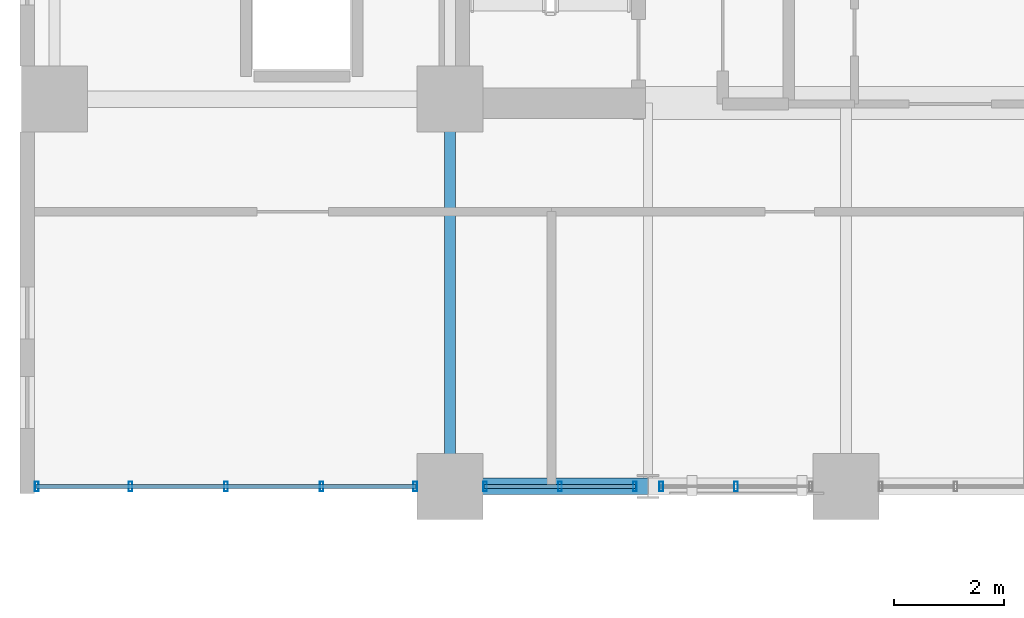
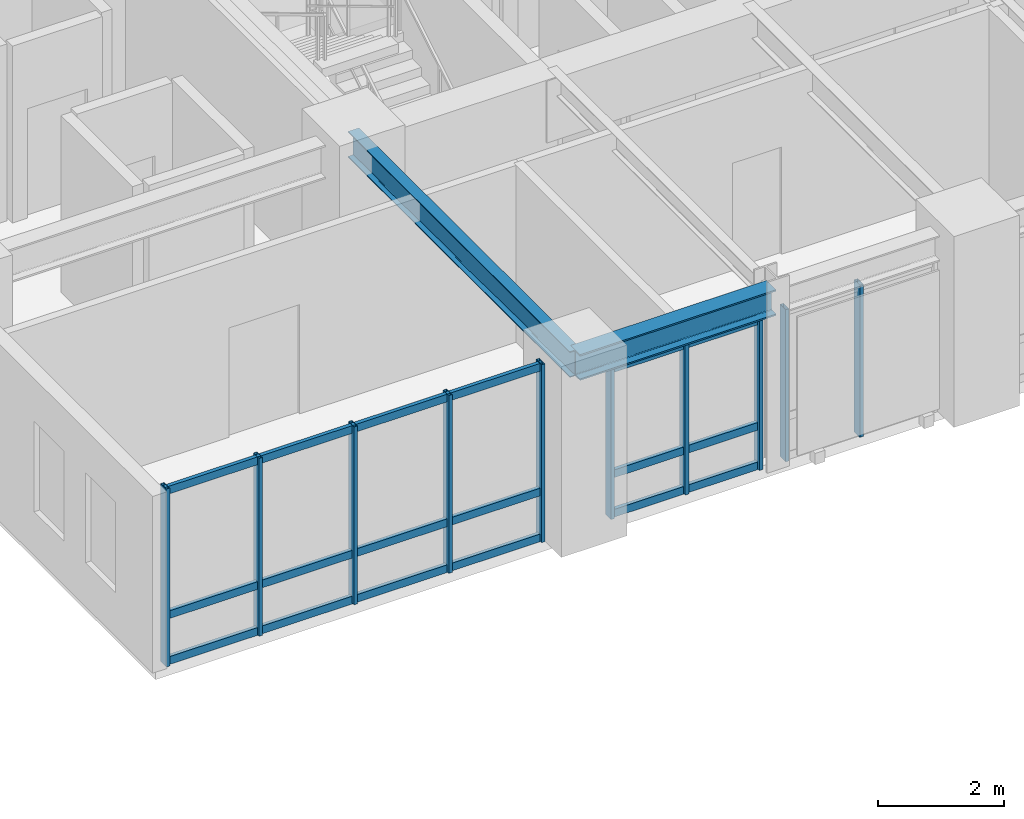
# One storey, part 2 of 16: 16 members, 2 beams, 3 elements without a shape of their own.
"""IFC4 building model written with IfcOpenShell, lengths in metres."""

from ifc_helpers import new_model, si_unit, direction, frame, origin, origin_2d, place, context, subcontext, project, spatial, hollow_rectangle, i_section, extrude, source, transform, mapped, material, layer, layer_set, material_profile, profile_set, type_object, element, aggregate, save


model = new_model("IFC4")

# Units and contexts
model_context = context("Model", 3, precision=1e-05, world=origin(), true_north=direction((0.0, 1.0)))
body_context = subcontext(model_context, "Body", "Model", "MODEL_VIEW")
ifc_project = project(units=[si_unit("LENGTHUNIT", "METRE"), si_unit("AREAUNIT", "SQUARE_METRE"), si_unit("VOLUMEUNIT", "CUBIC_METRE"), si_unit("PLANEANGLEUNIT", "RADIAN"), si_unit("MASSUNIT", "GRAM", prefix="KILO")], contexts=[model_context])

# Site, building, storey
site_placement = place(None, origin())
site = spatial("IfcSite", under=ifc_project, at=site_placement, CompositionType="ELEMENT")
building_placement = place(site_placement, origin())
building = spatial("IfcBuilding", under=site, at=building_placement, Name="Kaliganga Portal Commons", CompositionType="ELEMENT")
storey_placement = place(building_placement, frame((0.0, 0.0, 82.300048828125)))
storey = spatial("IfcBuildingStorey", under=building, at=storey_placement, Name="L20", CompositionType="ELEMENT", Elevation=82.300048828125)

# Beams
ifc_material_1 = material(Name="Structural steel S355J2", Category="steel")
ifc_material_profile_1 = material_profile(ifc_material_1, i_section(OverallWidth=0.300048828125, OverallDepth=0.5, WebThickness=0.014404296875, FlangeThickness=0.028076171875, FilletRadius=0.027099609375, at=origin_2d()), Name="HE 500 B")
ifc_profile_set_1 = profile_set([ifc_material_profile_1], Name="Structural steel S355J2 wide-flange")
beam_type_1 = type_object("IfcBeamType", Name="BM-SPAND-500", PredefinedType="SPANDREL", material=ifc_profile_set_1)
shared_shape_1 = source(origin(), body_context, "Body", "SweptSolid", [
    extrude(i_section(OverallWidth=0.300048828125, OverallDepth=0.5, WebThickness=0.014404296875, FlangeThickness=0.028076171875, FilletRadius=0.027099609375, at=origin_2d()), origin(), (0.0, 0.0, 1.0), 3.60009765625),
])
beam_1_placement = place(storey_placement, frame((14.39990234375, 21.60009765625, 3.199951171875), z_axis=(1.0, 0.0, 0.0), x_axis=(0.0, 1.0, 0.0)))
element("IfcBeam", 1, at=beam_1_placement, inside=storey, type_object=beam_type_1, Name="BM SP L20 AS 1", PredefinedType="SPANDREL", context=body_context, shape_type="MappedRepresentation", body=[
    mapped(shared_shape_1, transform((0.0, 0.0, 0.0), x_axis=(1.0, 0.0, 0.0), y_axis=(0.0, 1.0, 0.0), z_axis=(0.0, 0.0, 1.0), scale=1.0)),
])
ifc_material_profile_2 = material_profile(ifc_material_1, i_section(OverallWidth=0.199951171875, OverallDepth=0.5, WebThickness=0.01025390625, FlangeThickness=0.01611328125, FilletRadius=0.02099609375, at=origin_2d()), Name="IPE 500")
ifc_profile_set_2 = profile_set([ifc_material_profile_2], Name="Structural steel S355J2 wide-flange")
beam_type_2 = type_object("IfcBeamType", Name="BM-FLR-500", PredefinedType="BEAM", material=ifc_profile_set_2)
shared_shape_2 = source(origin(), body_context, "Body", "SweptSolid", [
    extrude(i_section(OverallWidth=0.199951171875, OverallDepth=0.5, WebThickness=0.01025390625, FlangeThickness=0.01611328125, FilletRadius=0.02099609375, at=origin_2d()), origin(), (0.0, 0.0, 1.0), 7.0498046875),
])
beam_2_placement = place(storey_placement, frame((14.39990234375, 21.60009765625, 3.199951171875), z_axis=(0.0, 1.0, 0.0), x_axis=(-1.0, 0.0, 0.0)))
element("IfcBeam", 2, at=beam_2_placement, inside=storey, type_object=beam_type_2, Name="BM G L20 AS144", PredefinedType="BEAM", context=body_context, shape_type="MappedRepresentation", body=[
    mapped(shared_shape_2, transform((0.0, 0.0, 0.0), x_axis=(1.0, 0.0, 0.0), y_axis=(0.0, 1.0, 0.0), z_axis=(0.0, 0.0, 1.0), scale=1.0)),
])

# Curtain wall, members
ifc_material_2 = material(Name="Anodized Aluminium and Laminated Low-E Glass", Category="aluminium")
ifc_layer = layer(ifc_material_2, 0.2099609375)
ifc_layer_set = layer_set([ifc_layer], Name="Anodized Aluminium and Laminated Low-E Glass")
curtain_wall_type = type_object("IfcCurtainWallType", Name="CW-SYS-03", PredefinedType="NOTDEFINED", material=ifc_layer_set)
curtain_wall_1_placement = place(storey_placement, origin())
curtain_wall_1 = element("IfcCurtainWall", 3, at=curtain_wall_1_placement, inside=storey, type_object=curtain_wall_type, Name="CW 03 L20 P1E04S1", PredefinedType="NOTDEFINED")
ifc_material_3 = material(Name="Dark Bronze Anodized Aluminium", Category="aluminium")
ifc_material_profile_3 = material_profile(ifc_material_3, hollow_rectangle(XDim=0.06494140625, YDim=0.179931640625, WallThickness=0.00390625, at=origin_2d()), Name="ALU MULL 65x180x4")
ifc_profile_set_3 = profile_set([ifc_material_profile_3], Name="Dark Bronze Anodized Aluminium")
member_type_1 = type_object("IfcMemberType", Name="CW-MUL-180", PredefinedType="MULLION", material=ifc_profile_set_3)
shared_shape_3 = source(origin(), body_context, "Body", "SweptSolid", [
    extrude(hollow_rectangle(XDim=0.06494140625, YDim=0.179931640625, WallThickness=0.00390625, at=origin_2d()), origin(), (0.0, 0.0, 1.0), 3.449951171875),
])
member_1_placement = place(storey_placement, frame((6.875, 21.60009765625, 0.0), z_axis=(0.0, 0.0, 1.0), x_axis=(1.0, 0.0, 0.0)))
member_1 = element("IfcMember", 4, at=member_1_placement, type_object=member_type_1, Name="CW:03:L20:P1E04S1 Mullion 00", PredefinedType="MULLION", context=body_context, shape_type="MappedRepresentation", body=[
    mapped(shared_shape_3, transform((0.0, 0.0, 0.0), x_axis=(1.0, 0.0, 0.0), y_axis=(0.0, 1.0, 0.0), z_axis=(0.0, 0.0, 1.0), scale=1.0)),
])
member_2_placement = place(storey_placement, frame((8.579833984375, 21.60009765625, 0.0), z_axis=(0.0, 0.0, 1.0), x_axis=(1.0, 0.0, 0.0)))
member_2 = element("IfcMember", 5, at=member_2_placement, type_object=member_type_1, Name="CW:03:L20:P1E04S1 Mullion 01", PredefinedType="MULLION", context=body_context, shape_type="MappedRepresentation", body=[
    mapped(shared_shape_3, transform((0.0, 0.0, 0.0), x_axis=(1.0, 0.0, 0.0), y_axis=(0.0, 1.0, 0.0), z_axis=(0.0, 0.0, 1.0), scale=1.0)),
])
member_3_placement = place(storey_placement, frame((10.319580078125, 21.60009765625, 0.0), z_axis=(0.0, 0.0, 1.0), x_axis=(1.0, 0.0, 0.0)))
member_3 = element("IfcMember", 6, at=member_3_placement, type_object=member_type_1, Name="CW:03:L20:P1E04S1 Mullion 02", PredefinedType="MULLION", context=body_context, shape_type="MappedRepresentation", body=[
    mapped(shared_shape_3, transform((0.0, 0.0, 0.0), x_axis=(1.0, 0.0, 0.0), y_axis=(0.0, 1.0, 0.0), z_axis=(0.0, 0.0, 1.0), scale=1.0)),
])
member_4_placement = place(storey_placement, frame((12.05908203125, 21.60009765625, 0.0), z_axis=(0.0, 0.0, 1.0), x_axis=(1.0, 0.0, 0.0)))
member_4 = element("IfcMember", 7, at=member_4_placement, type_object=member_type_1, Name="CW:03:L20:P1E04S1 Mullion 03", PredefinedType="MULLION", context=body_context, shape_type="MappedRepresentation", body=[
    mapped(shared_shape_3, transform((0.0, 0.0, 0.0), x_axis=(1.0, 0.0, 0.0), y_axis=(0.0, 1.0, 0.0), z_axis=(0.0, 0.0, 1.0), scale=1.0)),
])
member_5_placement = place(storey_placement, frame((13.763916015625, 21.60009765625, 0.0), z_axis=(0.0, 0.0, 1.0), x_axis=(1.0, 0.0, 0.0)))
member_5 = element("IfcMember", 8, at=member_5_placement, type_object=member_type_1, Name="CW:03:L20:P1E04S1 Mullion 04", PredefinedType="MULLION", context=body_context, shape_type="MappedRepresentation", body=[
    mapped(shared_shape_3, transform((0.0, 0.0, 0.0), x_axis=(1.0, 0.0, 0.0), y_axis=(0.0, 1.0, 0.0), z_axis=(0.0, 0.0, 1.0), scale=1.0)),
])

curtain_wall_2_placement = place(storey_placement, origin())
curtain_wall_2 = element("IfcCurtainWall", 9, at=curtain_wall_2_placement, inside=storey, type_object=curtain_wall_type, Name="CW 03 L20 P1E04S2", PredefinedType="NOTDEFINED")
shared_shape_4 = source(origin(), body_context, "Body", "SweptSolid", [
    extrude(hollow_rectangle(XDim=0.06494140625, YDim=0.179931640625, WallThickness=0.00390625, at=origin_2d()), origin(), (0.0, 0.0, 1.0), 2.949951171875),
])
member_6_placement = place(storey_placement, frame((15.035888671875, 21.60009765625, 0.0), z_axis=(0.0, 0.0, 1.0), x_axis=(1.0, 0.0, 0.0)))
member_6 = element("IfcMember", 10, at=member_6_placement, type_object=member_type_1, Name="CW:03:L20:P1E04S2 Mullion 00", PredefinedType="MULLION", context=body_context, shape_type="MappedRepresentation", body=[
    mapped(shared_shape_4, transform((0.0, 0.0, 0.0), x_axis=(1.0, 0.0, 0.0), y_axis=(0.0, 1.0, 0.0), z_axis=(0.0, 0.0, 1.0), scale=1.0)),
])
member_7_placement = place(storey_placement, frame((16.397705078125, 21.60009765625, 0.0), z_axis=(0.0, 0.0, 1.0), x_axis=(1.0, 0.0, 0.0)))
member_7 = element("IfcMember", 11, at=member_7_placement, type_object=member_type_1, Name="CW:03:L20:P1E04S2 Mullion 01", PredefinedType="MULLION", context=body_context, shape_type="MappedRepresentation", body=[
    mapped(shared_shape_4, transform((0.0, 0.0, 0.0), x_axis=(1.0, 0.0, 0.0), y_axis=(0.0, 1.0, 0.0), z_axis=(0.0, 0.0, 1.0), scale=1.0)),
])
member_8_placement = place(storey_placement, frame((17.759521484375, 21.60009765625, 0.0), z_axis=(0.0, 0.0, 1.0), x_axis=(1.0, 0.0, 0.0)))
member_8 = element("IfcMember", 12, at=member_8_placement, type_object=member_type_1, Name="CW:03:L20:P1E04S2 Mullion 02", PredefinedType="MULLION", context=body_context, shape_type="MappedRepresentation", body=[
    mapped(shared_shape_4, transform((0.0, 0.0, 0.0), x_axis=(1.0, 0.0, 0.0), y_axis=(0.0, 1.0, 0.0), z_axis=(0.0, 0.0, 1.0), scale=1.0)),
])

curtain_wall_3_placement = place(storey_placement, origin())
curtain_wall_3 = element("IfcCurtainWall", 13, at=curtain_wall_3_placement, inside=storey, type_object=curtain_wall_type, Name="CW 03 L20 P1E04S3", PredefinedType="NOTDEFINED")
member_9_placement = place(storey_placement, frame((18.240478515625, 21.60009765625, 0.0), z_axis=(0.0, 0.0, 1.0), x_axis=(1.0, 0.0, 0.0)))
member_9 = element("IfcMember", 14, at=member_9_placement, type_object=member_type_1, Name="CW:03:L20:P1E04S3 Mullion 00", PredefinedType="MULLION", context=body_context, shape_type="MappedRepresentation", body=[
    mapped(shared_shape_4, transform((0.0, 0.0, 0.0), x_axis=(1.0, 0.0, 0.0), y_axis=(0.0, 1.0, 0.0), z_axis=(0.0, 0.0, 1.0), scale=1.0)),
])
member_10_placement = place(storey_placement, frame((19.602294921875, 21.60009765625, 0.0), z_axis=(0.0, 0.0, 1.0), x_axis=(1.0, 0.0, 0.0)))
member_10 = element("IfcMember", 15, at=member_10_placement, type_object=member_type_1, Name="CW:03:L20:P1E04S3 Mullion 01", PredefinedType="MULLION", context=body_context, shape_type="MappedRepresentation", body=[
    mapped(shared_shape_4, transform((0.0, 0.0, 0.0), x_axis=(1.0, 0.0, 0.0), y_axis=(0.0, 1.0, 0.0), z_axis=(0.0, 0.0, 1.0), scale=1.0)),
])
aggregate(curtain_wall_3, [member_9, member_10])

# Member
ifc_material_profile_4 = material_profile(ifc_material_3, hollow_rectangle(XDim=0.070068359375, YDim=0.14990234375, WallThickness=0.00341796875, at=origin_2d()), Name="ALU TRAN 70x150x3.5")
ifc_profile_set_4 = profile_set([ifc_material_profile_4], Name="Dark Bronze Anodized Aluminium")
member_type_2 = type_object("IfcMemberType", Name="CW-TRN-150", PredefinedType="USERDEFINED", material=ifc_profile_set_4)
shared_shape_5 = source(origin(), body_context, "Body", "SweptSolid", [
    extrude(hollow_rectangle(XDim=0.070068359375, YDim=0.14990234375, WallThickness=0.00341796875, at=origin_2d()), origin(), (0.0, 0.0, 1.0), 6.9189453125),
])
member_11_placement = place(storey_placement, frame((6.860107421875, 21.60009765625, 0.06005859375), z_axis=(1.0, 0.0, 0.0), x_axis=(0.0, 1.0, 0.0)))
member_11 = element("IfcMember", 16, at=member_11_placement, type_object=member_type_2, Name="CW:03:L20:P1E04S1 Transom 1", ObjectType="TRANSOM", PredefinedType="USERDEFINED", context=body_context, shape_type="MappedRepresentation", body=[
    mapped(shared_shape_5, transform((0.0, 0.0, 0.0), x_axis=(1.0, 0.0, 0.0), y_axis=(0.0, 1.0, 0.0), z_axis=(0.0, 0.0, 1.0), scale=1.0)),
])

member_12_placement = place(storey_placement, frame((6.860107421875, 21.60009765625, 0.949951171875), z_axis=(1.0, 0.0, 0.0), x_axis=(0.0, 1.0, 0.0)))
member_12 = element("IfcMember", 17, at=member_12_placement, type_object=member_type_2, Name="CW:03:L20:P1E04S1 Transom 2", ObjectType="TRANSOM", PredefinedType="USERDEFINED", context=body_context, shape_type="MappedRepresentation", body=[
    mapped(shared_shape_5, transform((0.0, 0.0, 0.0), x_axis=(1.0, 0.0, 0.0), y_axis=(0.0, 1.0, 0.0), z_axis=(0.0, 0.0, 1.0), scale=1.0)),
])

member_13_placement = place(storey_placement, frame((6.860107421875, 21.60009765625, 3.369873046875), z_axis=(1.0, 0.0, 0.0), x_axis=(0.0, 1.0, 0.0)))
member_13 = element("IfcMember", 18, at=member_13_placement, type_object=member_type_2, Name="CW:03:L20:P1E04S1 Transom 3", ObjectType="TRANSOM", PredefinedType="USERDEFINED", context=body_context, shape_type="MappedRepresentation", body=[
    mapped(shared_shape_5, transform((0.0, 0.0, 0.0), x_axis=(1.0, 0.0, 0.0), y_axis=(0.0, 1.0, 0.0), z_axis=(0.0, 0.0, 1.0), scale=1.0)),
])

aggregate(curtain_wall_1, [member_1, member_2, member_3, member_4, member_5, member_11, member_12, member_13])

shared_shape_6 = source(origin(), body_context, "Body", "SweptSolid", [
    extrude(hollow_rectangle(XDim=0.070068359375, YDim=0.14990234375, WallThickness=0.00341796875, at=origin_2d()), origin(), (0.0, 0.0, 1.0), 2.75341796875),
])
member_14_placement = place(storey_placement, frame((15.02099609375, 21.60009765625, 0.06005859375), z_axis=(1.0, 0.0, 0.0), x_axis=(0.0, 1.0, 0.0)))
member_14 = element("IfcMember", 19, at=member_14_placement, type_object=member_type_2, Name="CW:03:L20:P1E04S2 Transom 1", ObjectType="TRANSOM", PredefinedType="USERDEFINED", context=body_context, shape_type="MappedRepresentation", body=[
    mapped(shared_shape_6, transform((0.0, 0.0, 0.0), x_axis=(1.0, 0.0, 0.0), y_axis=(0.0, 1.0, 0.0), z_axis=(0.0, 0.0, 1.0), scale=1.0)),
])

member_15_placement = place(storey_placement, frame((15.02099609375, 21.60009765625, 0.825927734375), z_axis=(1.0, 0.0, 0.0), x_axis=(0.0, 1.0, 0.0)))
member_15 = element("IfcMember", 20, at=member_15_placement, type_object=member_type_2, Name="CW:03:L20:P1E04S2 Transom 2", ObjectType="TRANSOM", PredefinedType="USERDEFINED", context=body_context, shape_type="MappedRepresentation", body=[
    mapped(shared_shape_6, transform((0.0, 0.0, 0.0), x_axis=(1.0, 0.0, 0.0), y_axis=(0.0, 1.0, 0.0), z_axis=(0.0, 0.0, 1.0), scale=1.0)),
])

member_16_placement = place(storey_placement, frame((15.02099609375, 21.60009765625, 2.869873046875), z_axis=(1.0, 0.0, 0.0), x_axis=(0.0, 1.0, 0.0)))
member_16 = element("IfcMember", 21, at=member_16_placement, type_object=member_type_2, Name="CW:03:L20:P1E04S2 Transom 3", ObjectType="TRANSOM", PredefinedType="USERDEFINED", context=body_context, shape_type="MappedRepresentation", body=[
    mapped(shared_shape_6, transform((0.0, 0.0, 0.0), x_axis=(1.0, 0.0, 0.0), y_axis=(0.0, 1.0, 0.0), z_axis=(0.0, 0.0, 1.0), scale=1.0)),
])

aggregate(curtain_wall_2, [member_6, member_7, member_8, member_14, member_15, member_16])

save(model, "model.ifc")
